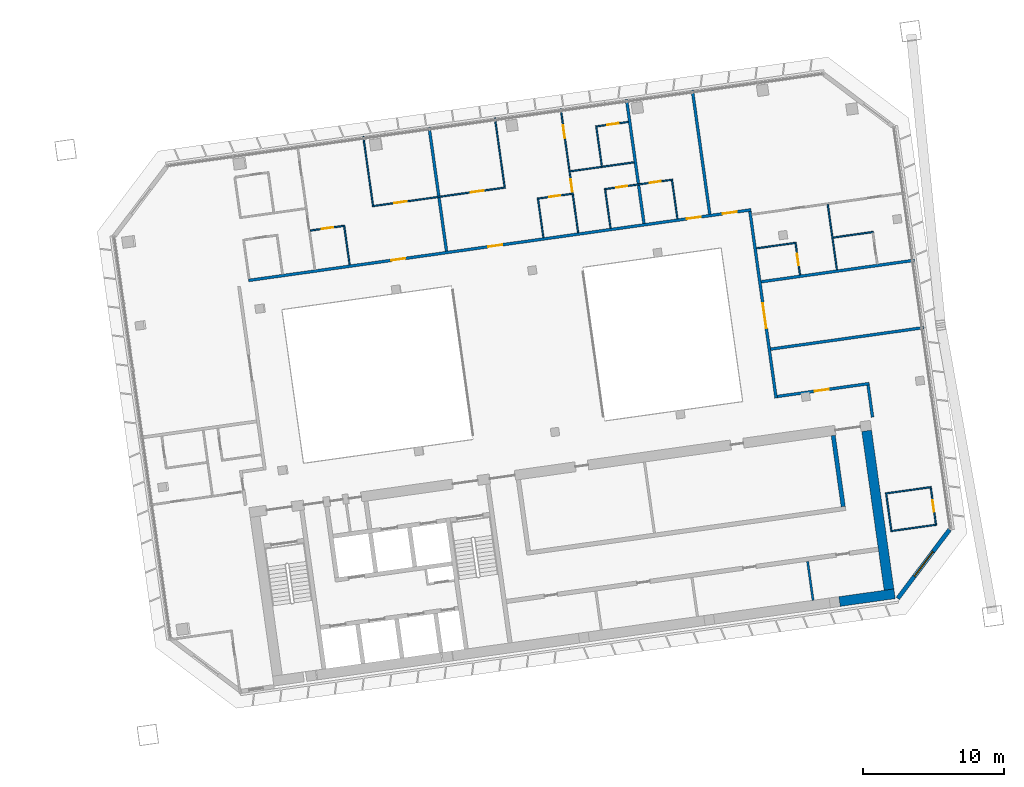
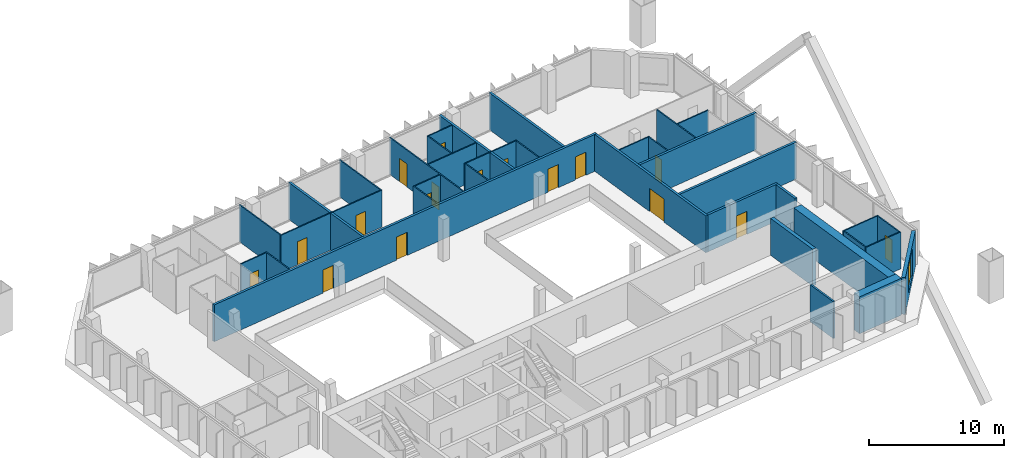
# One storey, part 19 of 23: 36 walls, 17 doors, 1 window, 18 openings.
"""IFC4 building model written with IfcOpenShell, lengths in metres."""

from ifc_helpers import new_model, si_unit, direction, frame, frame_2d, origin, place, context, subcontext, project, spatial, rectangle, extrude, material, layer, layer_set, type_object, element, fill, save


model = new_model("IFC4")

# Units and contexts
model_context = context("Model", 3, precision=1e-05, world=origin(), true_north=direction((0.0, 1.0)))
body_context = subcontext(model_context, "Body", "Model", "MODEL_VIEW")
ifc_project = project(units=[si_unit("LENGTHUNIT", "METRE"), si_unit("AREAUNIT", "SQUARE_METRE"), si_unit("VOLUMEUNIT", "CUBIC_METRE"), si_unit("PLANEANGLEUNIT", "RADIAN"), si_unit("MASSUNIT", "GRAM", prefix="KILO")], contexts=[model_context])

# Site, building, storey
site_placement = place(None, origin())
site = spatial("IfcSite", under=ifc_project, at=site_placement, CompositionType="ELEMENT")
building_placement = place(site_placement, origin())
building = spatial("IfcBuilding", under=site, at=building_placement, Name="Mirante Cascada Hotel Towers", CompositionType="ELEMENT")
storey_placement = place(building_placement, frame((0.0, 0.0, 195.4)))
storey = spatial("IfcBuildingStorey", under=building, at=storey_placement, Name="L46", CompositionType="ELEMENT", Elevation=195.4)

# Wall, opening, door
ifc_material_1 = material(Name="Fire-rated plasterboard on metal studs")
ifc_layer_1 = layer(ifc_material_1, 0.2)
ifc_layer_set_1 = layer_set([ifc_layer_1], Name="Compartment wall 200 EI 120")
wall_type_1 = type_object("IfcWallType", Name="Compartment wall 200 EI 120", PredefinedType="PARTITIONING", material=ifc_layer_set_1)
wall_1_placement = place(storey_placement, frame((79.5905, 1.5361, 0.0), z_axis=(0.0, 0.0, 1.0), x_axis=(-0.990267, -0.139181, 0.0)))
wall_1 = element("IfcWall", 1, at=wall_1_placement, inside=storey, type_object=wall_type_1, Name="Wall 2-L46-06", PredefinedType="PARTITIONING", context=body_context, shape_type="SweptSolid", body=[
    extrude(rectangle(XDim=6.6, YDim=0.2, at=frame_2d((3.3, 0.0))), origin(), (0.0, 0.0, 1.0), 3.35),
])
opening_1_placement = place(wall_1_placement, frame((2.9, 0.0, 0.0)))
opening_1 = element("IfcOpeningElement", 2, at=opening_1_placement, cuts=wall_1, Name="Opening D2-L46-03", PredefinedType="OPENING", context=body_context, shape_type="SweptSolid", body=[
    extrude(rectangle(XDim=1.0, YDim=2.1, at=frame_2d((0.5, 1.05))), frame((0.0, 0.1, 0.0), z_axis=(0.0, -1.0, 0.0), x_axis=(1.0, 0.0, 0.0)), (0.0, 0.0, 1.0), 0.2),
])
ifc_material_2 = material(Name="Fire-rated timber door leaf", Category="wood")
door_type_1 = type_object("IfcDoorType", Name="Entrance door DG1 1000x2100 EI 60", OperationType="SINGLE_SWING_LEFT", PredefinedType="DOOR", material=ifc_material_2)
door_1_placement = place(opening_1_placement, origin())
door_1 = element("IfcDoor", 3, at=door_1_placement, inside=storey, type_object=door_type_1, Name="Door D2-L46-03", OperationType="SINGLE_SWING_LEFT", OverallHeight=2.1, OverallWidth=1.0, PredefinedType="DOOR", context=body_context, shape_type="SweptSolid", body=[
    extrude(rectangle(XDim=1.0, YDim=2.1, at=frame_2d((0.5, 1.05))), frame((0.0, 0.025, 0.0), z_axis=(0.0, -1.0, 0.0), x_axis=(1.0, 0.0, 0.0)), (0.0, 0.0, 1.0), 0.05),
])
fill(opening_1, door_1)

# Walls
wall_2_placement = place(storey_placement, frame((83.4745, 5.5153, 0.0), z_axis=(0.0, 0.0, 1.0), x_axis=(-0.9902682, -0.1391721, 0.0)))
element("IfcWall", 4, at=wall_2_placement, inside=storey, type_object=wall_type_1, Name="Wall 2-L46-10", PredefinedType="PARTITIONING", context=body_context, shape_type="SweptSolid", body=[
    extrude(rectangle(XDim=11.0001, YDim=0.2, at=frame_2d((5.5, 0.0))), origin(), (0.0, 0.0, 1.0), 3.35),
])
wall_3_placement = place(storey_placement, frame((71.9089, 8.7707, 0.0), z_axis=(0.0, 0.0, 1.0), x_axis=(0.990268, 0.1391733, 0.0)))
element("IfcWall", 5, at=wall_3_placement, inside=storey, type_object=wall_type_1, Name="Wall 2-L46-11", PredefinedType="PARTITIONING", context=body_context, shape_type="SweptSolid", body=[
    extrude(rectangle(XDim=11.0, YDim=0.2, at=frame_2d((5.5, 0.0))), origin(), (0.0, 0.0, 1.0), 3.35),
])

# Wall, openings, doors
wall_4_placement = place(storey_placement, frame((35.4697, 8.867, 0.0), z_axis=(0.0, 0.0, 1.0), x_axis=(0.9902682, 0.1391722, 0.0)))
wall_4 = element("IfcWall", 6, at=wall_4_placement, inside=storey, type_object=wall_type_1, Name="Wall 2-L46-15", PredefinedType="PARTITIONING", context=body_context, shape_type="SweptSolid", body=[
    extrude(rectangle(XDim=36.0711, YDim=0.2, at=frame_2d((18.0356, 0.0))), origin(), (0.0, 0.0, 1.0), 3.35),
])
opening_2_placement = place(wall_4_placement, frame((10.2463, 0.0, 0.0)))
opening_2 = element("IfcOpeningElement", 7, at=opening_2_placement, cuts=wall_4, Name="Opening D2-L46-06", PredefinedType="OPENING", context=body_context, shape_type="SweptSolid", body=[
    extrude(rectangle(XDim=1.0, YDim=2.1, at=frame_2d((0.5, 1.05))), frame((0.0, 0.1, 0.0), z_axis=(0.0, -1.0, 0.0), x_axis=(1.0, 0.0, 0.0)), (0.0, 0.0, 1.0), 0.2),
])
opening_3_placement = place(wall_4_placement, frame((17.201, 0.0, 0.0)))
opening_3 = element("IfcOpeningElement", 8, at=opening_3_placement, cuts=wall_4, Name="Opening D2-L46-07", PredefinedType="OPENING", context=body_context, shape_type="SweptSolid", body=[
    extrude(rectangle(XDim=1.0, YDim=2.1, at=frame_2d((0.5, 1.05))), frame((0.0, 0.1, 0.0), z_axis=(0.0, -1.0, 0.0), x_axis=(1.0, 0.0, 0.0)), (0.0, 0.0, 1.0), 0.2),
])
opening_4_placement = place(wall_4_placement, frame((31.4597, 0.0, 0.0)))
opening_4 = element("IfcOpeningElement", 9, at=opening_4_placement, cuts=wall_4, Name="Opening D2-L46-08", PredefinedType="OPENING", context=body_context, shape_type="SweptSolid", body=[
    extrude(rectangle(XDim=1.0, YDim=2.1, at=frame_2d((0.5, 1.05))), frame((0.0, 0.1, 0.0), z_axis=(0.0, -1.0, 0.0), x_axis=(1.0, 0.0, 0.0)), (0.0, 0.0, 1.0), 0.2),
])
opening_5_placement = place(wall_4_placement, frame((34.0465, 0.0, 0.0)))
opening_5 = element("IfcOpeningElement", 10, at=opening_5_placement, cuts=wall_4, Name="Opening D2-L46-09", PredefinedType="OPENING", context=body_context, shape_type="SweptSolid", body=[
    extrude(rectangle(XDim=1.0, YDim=2.1, at=frame_2d((0.5, 1.05))), frame((0.0, 0.1, 0.0), z_axis=(0.0, -1.0, 0.0), x_axis=(1.0, 0.0, 0.0)), (0.0, 0.0, 1.0), 0.2),
])
door_2_placement = place(opening_2_placement, origin())
door_2 = element("IfcDoor", 11, at=door_2_placement, inside=storey, type_object=door_type_1, Name="Door D2-L46-06", OperationType="SINGLE_SWING_LEFT", OverallHeight=2.1, OverallWidth=1.0, PredefinedType="DOOR", context=body_context, shape_type="SweptSolid", body=[
    extrude(rectangle(XDim=1.0, YDim=2.1, at=frame_2d((0.5, 1.05))), frame((0.0, 0.025, 0.0), z_axis=(0.0, -1.0, 0.0), x_axis=(1.0, 0.0, 0.0)), (0.0, 0.0, 1.0), 0.05),
])
fill(opening_2, door_2)
door_3_placement = place(opening_3_placement, origin())
door_3 = element("IfcDoor", 12, at=door_3_placement, inside=storey, type_object=door_type_1, Name="Door D2-L46-07", OperationType="SINGLE_SWING_LEFT", OverallHeight=2.1, OverallWidth=1.0, PredefinedType="DOOR", context=body_context, shape_type="SweptSolid", body=[
    extrude(rectangle(XDim=1.0, YDim=2.1, at=frame_2d((0.5, 1.05))), frame((0.0, 0.025, 0.0), z_axis=(0.0, -1.0, 0.0), x_axis=(1.0, 0.0, 0.0)), (0.0, 0.0, 1.0), 0.05),
])
fill(opening_3, door_3)
door_4_placement = place(opening_4_placement, origin())
door_4 = element("IfcDoor", 13, at=door_4_placement, inside=storey, type_object=door_type_1, Name="Door D2-L46-08", OperationType="SINGLE_SWING_LEFT", OverallHeight=2.1, OverallWidth=1.0, PredefinedType="DOOR", context=body_context, shape_type="SweptSolid", body=[
    extrude(rectangle(XDim=1.0, YDim=2.1, at=frame_2d((0.5, 1.05))), frame((0.0, 0.025, 0.0), z_axis=(0.0, -1.0, 0.0), x_axis=(1.0, 0.0, 0.0)), (0.0, 0.0, 1.0), 0.05),
])
fill(opening_4, door_4)
door_5_placement = place(opening_5_placement, origin())
door_5 = element("IfcDoor", 14, at=door_5_placement, inside=storey, type_object=door_type_1, Name="Door D2-L46-09", OperationType="SINGLE_SWING_LEFT", OverallHeight=2.1, OverallWidth=1.0, PredefinedType="DOOR", context=body_context, shape_type="SweptSolid", body=[
    extrude(rectangle(XDim=1.0, YDim=2.1, at=frame_2d((0.5, 1.05))), frame((0.0, 0.025, 0.0), z_axis=(0.0, -1.0, 0.0), x_axis=(1.0, 0.0, 0.0)), (0.0, 0.0, 1.0), 0.05),
])
fill(opening_5, door_5)

# Walls
for number, where, z_axis, x_axis, name in (
    (15, (48.3025, 19.759, 0.0), (0.0, 0.0, 1.0), (0.1391684, -0.9902687, 0.0), "Wall 2-L46-38"),
    (16, (62.3382, 21.7316, 0.0), (0.0, 0.0, 1.0), (0.1391794, -0.9902672, 0.0), "Wall 2-L46-44"),
    (17, (67.0168, 22.3891, 0.0), (0.0, 0.0, 1.0), (0.1391794, -0.9902672, 0.0), "Wall 2-L46-46"),
):
    element("IfcWall", number, at=place(storey_placement, frame(where, z_axis=z_axis, x_axis=x_axis)), inside=storey, type_object=wall_type_1, Name=name, PredefinedType="PARTITIONING", context=body_context, shape_type="SweptSolid", body=[
        extrude(rectangle(XDim=8.9, YDim=0.2, at=frame_2d((4.45, 0.0))), origin(), (0.0, 0.0, 1.0), 3.35),
    ])

# Wall, opening, door
wall_5_placement = place(storey_placement, frame((72.9696, 0.5046, 0.0), z_axis=(0.0, 0.0, 1.0), x_axis=(-0.1391716, 0.9902683, 0.0)))
wall_5 = element("IfcWall", 18, at=wall_5_placement, inside=storey, type_object=wall_type_1, Name="Wall 2-L46-47", PredefinedType="PARTITIONING", context=body_context, shape_type="SweptSolid", body=[
    extrude(rectangle(XDim=13.4, YDim=0.2, at=frame_2d((6.7, 0.0))), origin(), (0.0, 0.0, 1.0), 3.35),
])
opening_6_placement = place(wall_5_placement, frame((5.0167, 0.0, 0.0)))
opening_6 = element("IfcOpeningElement", 19, at=opening_6_placement, cuts=wall_5, Name="Opening D2-L46-28", PredefinedType="OPENING", context=body_context, shape_type="SweptSolid", body=[
    extrude(rectangle(XDim=1.8, YDim=2.1, at=frame_2d((0.9, 1.05))), frame((0.0, 0.1, 0.0), z_axis=(0.0, -1.0, 0.0), x_axis=(1.0, 0.0, 0.0)), (0.0, 0.0, 1.0), 0.2),
])
ifc_material_3 = material(Name="Fire-rated timber door leaf", Category="wood")
door_type_2 = type_object("IfcDoorType", Name="Suite double door DG2 1800x2100 EI 60", OperationType="DOUBLE_DOOR_SINGLE_SWING", PredefinedType="DOOR", material=ifc_material_3)
door_6_placement = place(opening_6_placement, origin())
door_6 = element("IfcDoor", 20, at=door_6_placement, inside=storey, type_object=door_type_2, Name="Door D2-L46-28", OperationType="DOUBLE_DOOR_SINGLE_SWING", OverallHeight=2.1, OverallWidth=1.8, PredefinedType="DOOR", context=body_context, shape_type="SweptSolid", body=[
    extrude(rectangle(XDim=0.895, YDim=2.1, at=frame_2d((0.4475, 1.05))), frame((0.0, 0.025, 0.0), z_axis=(0.0, -1.0, 0.0), x_axis=(1.0, 0.0, 0.0)), (0.0, 0.0, 1.0), 0.05),
    extrude(rectangle(XDim=0.895, YDim=2.1, at=frame_2d((1.3525, 1.05))), frame((0.0, 0.025, 0.0), z_axis=(0.0, -1.0, 0.0), x_axis=(1.0, 0.0, 0.0)), (0.0, 0.0, 1.0), 0.05),
])
fill(opening_6, door_6)

# Walls
wall_6_placement = place(storey_placement, frame((79.5054, 1.4231, 0.0), z_axis=(0.0, 0.0, 1.0), x_axis=(0.1391749, -0.9902678, 0.0)))
element("IfcWall", 21, at=wall_6_placement, inside=storey, type_object=wall_type_1, Name="Wall 2-L46-50", PredefinedType="PARTITIONING", context=body_context, shape_type="SweptSolid", body=[
    extrude(rectangle(XDim=2.3, YDim=0.2, at=frame_2d((1.15, 0.0))), origin(), (0.0, 0.0, 1.0), 3.35),
])
ifc_material_4 = material(Name="Masonry block", Category="masonry")
ifc_layer_2 = layer(ifc_material_4, 0.15)
ifc_layer_set_2 = layer_set([ifc_layer_2], Name="Core room partition 150 block EI 30")
wall_type_2 = type_object("IfcWallType", Name="Core room partition 150 block EI 30", PredefinedType="PARTITIONING", material=ifc_layer_set_2)
wall_7_placement = place(storey_placement, frame((75.5957, -13.8698, 0.0), z_axis=(0.0, 0.0, 1.0), x_axis=(-0.139181, 0.990267, 0.0)))
element("IfcWall", 22, at=wall_7_placement, inside=storey, type_object=wall_type_2, Name="Core wall partition T2 L46 8", PredefinedType="PARTITIONING", context=body_context, shape_type="SweptSolid", body=[
    extrude(rectangle(XDim=2.8, YDim=0.15, at=frame_2d((1.4, 0.0))), origin(), (0.0, 0.0, 1.0), 3.35),
])
ifc_material_5 = material(Name="Plasterboard on metal studs")
ifc_layer_3 = layer(ifc_material_5, 0.1)
ifc_layer_set_3 = layer_set([ifc_layer_3], Name="Partition 100")
wall_type_3 = type_object("IfcWallType", Name="Partition 100", PredefinedType="PARTITIONING", material=ifc_layer_set_3)
for number, where, z_axis, x_axis, name in (
    (23, (84.3831, -8.4945, 0.0), (0.0, 0.0, 1.0), (-0.990267, -0.139181, 0.0), "Wall 2-L46-02"),
    (24, (80.7395, -6.2801, 0.0), (0.0, 0.0, 1.0), (0.990267, 0.139181, 0.0), "Wall 2-L46-03"),
):
    element("IfcWall", number, at=place(storey_placement, frame(where, z_axis=z_axis, x_axis=x_axis)), inside=storey, type_object=wall_type_3, Name=name, PredefinedType="PARTITIONING", context=body_context, shape_type="SweptSolid", body=[
        extrude(rectangle(XDim=3.3, YDim=0.1, at=frame_2d((1.65, 0.0))), origin(), (0.0, 0.0, 1.0), 3.35),
    ])
wall_8_placement = place(storey_placement, frame((74.3971, 11.544, 0.0), z_axis=(0.0, 0.0, 1.0), x_axis=(-0.9902656, -0.1391909, 0.0)))
element("IfcWall", 25, at=wall_8_placement, inside=storey, type_object=wall_type_3, Name="Wall 2-L46-12", PredefinedType="PARTITIONING", context=body_context, shape_type="SweptSolid", body=[
    extrude(rectangle(XDim=2.85, YDim=0.1, at=frame_2d((1.425, 0.0))), origin(), (0.0, 0.0, 1.0), 3.35),
])
wall_9_placement = place(storey_placement, frame((77.0213, 11.9128, 0.0), z_axis=(0.0, 0.0, 1.0), x_axis=(0.9902683, 0.1391714, 0.0)))
element("IfcWall", 26, at=wall_9_placement, inside=storey, type_object=wall_type_3, Name="Wall 2-L46-13", PredefinedType="PARTITIONING", context=body_context, shape_type="SweptSolid", body=[
    extrude(rectangle(XDim=2.9, YDim=0.1, at=frame_2d((1.45, 0.0))), origin(), (0.0, 0.0, 1.0), 3.35),
])

# Wall, opening, door
wall_10_placement = place(storey_placement, frame((39.8437, 12.4102, 0.0), z_axis=(0.0, 0.0, 1.0), x_axis=(0.9902652, 0.1391934, 0.0)))
wall_10 = element("IfcWall", 27, at=wall_10_placement, inside=storey, type_object=wall_type_3, Name="Wall 2-L46-17", PredefinedType="PARTITIONING", context=body_context, shape_type="SweptSolid", body=[
    extrude(rectangle(XDim=2.3945, YDim=0.1, at=frame_2d((1.1972, 0.0))), origin(), (0.0, 0.0, 1.0), 3.35),
])
opening_7_placement = place(wall_10_placement, frame((0.8445, 0.0, 0.0)))
opening_7 = element("IfcOpeningElement", 28, at=opening_7_placement, cuts=wall_10, Name="Opening D2-L46-11", PredefinedType="OPENING", context=body_context, shape_type="SweptSolid", body=[
    extrude(rectangle(XDim=0.8, YDim=2.1, at=frame_2d((0.4, 1.05))), frame((0.0, 0.05, 0.0), z_axis=(0.0, -1.0, 0.0), x_axis=(1.0, 0.0, 0.0)), (0.0, 0.0, 1.0), 0.1),
])
ifc_material_6 = material(Name="Timber door leaf", Category="wood")
door_type_3 = type_object("IfcDoorType", Name="Bathroom door DG4 800x2100", OperationType="SINGLE_SWING_LEFT", PredefinedType="DOOR", material=ifc_material_6)
door_7_placement = place(opening_7_placement, origin())
door_7 = element("IfcDoor", 29, at=door_7_placement, inside=storey, type_object=door_type_3, Name="Door D2-L46-11", OperationType="SINGLE_SWING_LEFT", OverallHeight=2.1, OverallWidth=0.8, PredefinedType="DOOR", context=body_context, shape_type="SweptSolid", body=[
    extrude(rectangle(XDim=0.8, YDim=2.1, at=frame_2d((0.4, 1.05))), frame((0.0, 0.025, 0.0), z_axis=(0.0, -1.0, 0.0), x_axis=(1.0, 0.0, 0.0)), (0.0, 0.0, 1.0), 0.05),
])
fill(opening_7, door_7)

wall_11_placement = place(storey_placement, frame((58.459, 15.0264, 0.0), z_axis=(0.0, 0.0, 1.0), x_axis=(-0.990271, -0.1391524, 0.0)))
wall_11 = element("IfcWall", 30, at=wall_11_placement, inside=storey, type_object=wall_type_3, Name="Wall 2-L46-18", PredefinedType="PARTITIONING", context=body_context, shape_type="SweptSolid", body=[
    extrude(rectangle(XDim=2.3945, YDim=0.1, at=frame_2d((1.1972, 0.0))), origin(), (0.0, 0.0, 1.0), 3.35),
])
opening_8_placement = place(wall_11_placement, frame((0.8445, 0.0, 0.0)))
opening_8 = element("IfcOpeningElement", 31, at=opening_8_placement, cuts=wall_11, Name="Opening D2-L46-12", PredefinedType="OPENING", context=body_context, shape_type="SweptSolid", body=[
    extrude(rectangle(XDim=0.8, YDim=2.1, at=frame_2d((0.4, 1.05))), frame((0.0, 0.05, 0.0), z_axis=(0.0, -1.0, 0.0), x_axis=(1.0, 0.0, 0.0)), (0.0, 0.0, 1.0), 0.1),
])
door_8_placement = place(opening_8_placement, frame((0.8, 0.0, 0.0), z_axis=(0.0, 0.0, 1.0), x_axis=(-1.0, 0.0, 0.0)))
door_8 = element("IfcDoor", 32, at=door_8_placement, inside=storey, type_object=door_type_3, Name="Door D2-L46-12", OperationType="SINGLE_SWING_RIGHT", OverallHeight=2.1, OverallWidth=0.8, PredefinedType="DOOR", context=body_context, shape_type="SweptSolid", body=[
    extrude(rectangle(XDim=0.8, YDim=2.1, at=frame_2d((0.4, 1.05))), frame((0.0, 0.025, 0.0), z_axis=(0.0, -1.0, 0.0), x_axis=(1.0, 0.0, 0.0)), (0.0, 0.0, 1.0), 0.05),
])
fill(opening_8, door_8)

# Wall, openings, doors
wall_12_placement = place(storey_placement, frame((60.761, 15.35, 0.0), z_axis=(0.0, 0.0, 1.0), x_axis=(0.9902694, 0.1391638, 0.0)))
wall_12 = element("IfcWall", 33, at=wall_12_placement, inside=storey, type_object=wall_type_3, Name="Wall 2-L46-19", PredefinedType="PARTITIONING", context=body_context, shape_type="SweptSolid", body=[
    extrude(rectangle(XDim=4.9, YDim=0.1, at=frame_2d((2.45, 0.0))), origin(), (0.0, 0.0, 1.0), 3.35),
])
opening_9_placement = place(wall_12_placement, frame((0.85, 0.0, 0.0)))
opening_9 = element("IfcOpeningElement", 34, at=opening_9_placement, cuts=wall_12, Name="Opening D2-L46-13", PredefinedType="OPENING", context=body_context, shape_type="SweptSolid", body=[
    extrude(rectangle(XDim=0.8, YDim=2.1, at=frame_2d((0.4, 1.05))), frame((0.0, 0.05, 0.0), z_axis=(0.0, -1.0, 0.0), x_axis=(1.0, 0.0, 0.0)), (0.0, 0.0, 1.0), 0.1),
])
opening_10_placement = place(wall_12_placement, frame((3.25, 0.0, 0.0)))
opening_10 = element("IfcOpeningElement", 35, at=opening_10_placement, cuts=wall_12, Name="Opening D2-L46-14", PredefinedType="OPENING", context=body_context, shape_type="SweptSolid", body=[
    extrude(rectangle(XDim=0.8, YDim=2.1, at=frame_2d((0.4, 1.05))), frame((0.0, 0.05, 0.0), z_axis=(0.0, -1.0, 0.0), x_axis=(1.0, 0.0, 0.0)), (0.0, 0.0, 1.0), 0.1),
])
door_9_placement = place(opening_9_placement, frame((0.8, 0.0, 0.0), z_axis=(0.0, 0.0, 1.0), x_axis=(-1.0, 0.0, 0.0)))
door_9 = element("IfcDoor", 36, at=door_9_placement, inside=storey, type_object=door_type_3, Name="Door D2-L46-13", OperationType="SINGLE_SWING_RIGHT", OverallHeight=2.1, OverallWidth=0.8, PredefinedType="DOOR", context=body_context, shape_type="SweptSolid", body=[
    extrude(rectangle(XDim=0.8, YDim=2.1, at=frame_2d((0.4, 1.05))), frame((0.0, 0.025, 0.0), z_axis=(0.0, -1.0, 0.0), x_axis=(1.0, 0.0, 0.0)), (0.0, 0.0, 1.0), 0.05),
])
fill(opening_9, door_9)
door_10_placement = place(opening_10_placement, origin())
door_10 = element("IfcDoor", 37, at=door_10_placement, inside=storey, type_object=door_type_3, Name="Door D2-L46-14", OperationType="SINGLE_SWING_LEFT", OverallHeight=2.1, OverallWidth=0.8, PredefinedType="DOOR", context=body_context, shape_type="SweptSolid", body=[
    extrude(rectangle(XDim=0.8, YDim=2.1, at=frame_2d((0.4, 1.05))), frame((0.0, 0.025, 0.0), z_axis=(0.0, -1.0, 0.0), x_axis=(1.0, 0.0, 0.0)), (0.0, 0.0, 1.0), 0.05),
])
fill(opening_10, door_10)

wall_13_placement = place(storey_placement, frame((53.7264, 15.4721, 0.0), z_axis=(0.0, 0.0, 1.0), x_axis=(-0.9902678, -0.1391749, 0.0)))
wall_13 = element("IfcWall", 38, at=wall_13_placement, inside=storey, type_object=wall_type_3, Name="Wall 2-L46-20", PredefinedType="PARTITIONING", context=body_context, shape_type="SweptSolid", body=[
    extrude(rectangle(XDim=9.5491, YDim=0.1, at=frame_2d((4.7745, 0.0))), origin(), (0.0, 0.0, 1.0), 3.35),
])
opening_11_placement = place(wall_13_placement, frame((7.0745, 0.0, 0.0)))
opening_11 = element("IfcOpeningElement", 39, at=opening_11_placement, cuts=wall_13, Name="Opening D2-L46-15", PredefinedType="OPENING", context=body_context, shape_type="SweptSolid", body=[
    extrude(rectangle(XDim=0.9, YDim=2.1, at=frame_2d((0.45, 1.05))), frame((0.0, 0.05, 0.0), z_axis=(0.0, -1.0, 0.0), x_axis=(1.0, 0.0, 0.0)), (0.0, 0.0, 1.0), 0.1),
])
opening_12_placement = place(wall_13_placement, frame((1.5745, 0.0, 0.0)))
opening_12 = element("IfcOpeningElement", 40, at=opening_12_placement, cuts=wall_13, Name="Opening D2-L46-16", PredefinedType="OPENING", context=body_context, shape_type="SweptSolid", body=[
    extrude(rectangle(XDim=0.9, YDim=2.1, at=frame_2d((0.45, 1.05))), frame((0.0, 0.05, 0.0), z_axis=(0.0, -1.0, 0.0), x_axis=(1.0, 0.0, 0.0)), (0.0, 0.0, 1.0), 0.1),
])
ifc_material_7 = material(Name="Timber door leaf", Category="wood")
door_type_4 = type_object("IfcDoorType", Name="Room door DG3 900x2100", OperationType="SINGLE_SWING_LEFT", PredefinedType="DOOR", material=ifc_material_7)
door_11_placement = place(opening_11_placement, frame((0.9, 0.0, 0.0), z_axis=(0.0, 0.0, 1.0), x_axis=(-1.0, 0.0, 0.0)))
door_11 = element("IfcDoor", 41, at=door_11_placement, inside=storey, type_object=door_type_4, Name="Door D2-L46-15", OperationType="SINGLE_SWING_RIGHT", OverallHeight=2.1, OverallWidth=0.9, PredefinedType="DOOR", context=body_context, shape_type="SweptSolid", body=[
    extrude(rectangle(XDim=0.9, YDim=2.1, at=frame_2d((0.45, 1.05))), frame((0.0, 0.025, 0.0), z_axis=(0.0, -1.0, 0.0), x_axis=(1.0, 0.0, 0.0)), (0.0, 0.0, 1.0), 0.05),
])
fill(opening_11, door_11)
door_12_placement = place(opening_12_placement, frame((0.9, 0.0, 0.0), z_axis=(0.0, 0.0, 1.0), x_axis=(-1.0, 0.0, 0.0)))
door_12 = element("IfcDoor", 42, at=door_12_placement, inside=storey, type_object=door_type_4, Name="Door D2-L46-16", OperationType="SINGLE_SWING_RIGHT", OverallHeight=2.1, OverallWidth=0.9, PredefinedType="DOOR", context=body_context, shape_type="SweptSolid", body=[
    extrude(rectangle(XDim=0.9, YDim=2.1, at=frame_2d((0.45, 1.05))), frame((0.0, 0.025, 0.0), z_axis=(0.0, -1.0, 0.0), x_axis=(1.0, 0.0, 0.0)), (0.0, 0.0, 1.0), 0.05),
])
fill(opening_12, door_12)

# Wall
wall_14_placement = place(storey_placement, frame((62.8655, 17.2614, 0.0), z_axis=(0.0, 0.0, 1.0), x_axis=(-0.99027, -0.1391594, 0.0)))
element("IfcWall", 43, at=wall_14_placement, inside=storey, type_object=wall_type_3, Name="Wall 2-L46-22", PredefinedType="PARTITIONING", context=body_context, shape_type="SweptSolid", body=[
    extrude(rectangle(XDim=4.5746, YDim=0.1, at=frame_2d((2.2873, 0.0))), origin(), (0.0, 0.0, 1.0), 3.35),
])

# Wall, opening, door
wall_15_placement = place(storey_placement, frame((62.4619, 20.1332, 0.0), z_axis=(0.0, 0.0, 1.0), x_axis=(-0.9902705, -0.1391561, 0.0)))
wall_15 = element("IfcWall", 44, at=wall_15_placement, inside=storey, type_object=wall_type_3, Name="Wall 2-L46-24", PredefinedType="PARTITIONING", context=body_context, shape_type="SweptSolid", body=[
    extrude(rectangle(XDim=2.25, YDim=0.1, at=frame_2d((1.125, 0.0))), origin(), (0.0, 0.0, 1.0), 3.35),
])
opening_13_placement = place(wall_15_placement, frame((0.7, 0.0, 0.0)))
opening_13 = element("IfcOpeningElement", 45, at=opening_13_placement, cuts=wall_15, Name="Opening D2-L46-18", PredefinedType="OPENING", context=body_context, shape_type="SweptSolid", body=[
    extrude(rectangle(XDim=0.8, YDim=2.1, at=frame_2d((0.4, 1.05))), frame((0.0, 0.05, 0.0), z_axis=(0.0, -1.0, 0.0), x_axis=(1.0, 0.0, 0.0)), (0.0, 0.0, 1.0), 0.1),
])
door_13_placement = place(opening_13_placement, origin())
door_13 = element("IfcDoor", 46, at=door_13_placement, inside=storey, type_object=door_type_3, Name="Door D2-L46-18", OperationType="SINGLE_SWING_LEFT", OverallHeight=2.1, OverallWidth=0.8, PredefinedType="DOOR", context=body_context, shape_type="SweptSolid", body=[
    extrude(rectangle(XDim=0.8, YDim=2.1, at=frame_2d((0.4, 1.05))), frame((0.0, 0.025, 0.0), z_axis=(0.0, -1.0, 0.0), x_axis=(1.0, 0.0, 0.0)), (0.0, 0.0, 1.0), 0.05),
])
fill(opening_13, door_13)

# Walls
wall_16_placement = place(storey_placement, frame((42.2574, 12.7999, 0.0), z_axis=(0.0, 0.0, 1.0), x_axis=(0.1391957, -0.9902649, 0.0)))
element("IfcWall", 47, at=wall_16_placement, inside=storey, type_object=wall_type_3, Name="Wall 2-L46-36", PredefinedType="PARTITIONING", context=body_context, shape_type="SweptSolid", body=[
    extrude(rectangle(XDim=2.8499, YDim=0.1, at=frame_2d((1.425, 0.0))), origin(), (0.0, 0.0, 1.0), 3.35),
])
for number, where, z_axis, x_axis, name in (
    (48, (44.3127, 14.1996, 0.0), (0.0, 0.0, 1.0), (-0.1391725, 0.9902682, 0.0), "Wall 2-L46-37"),
    (49, (53.6699, 15.5147, 0.0), (0.0, 0.0, 1.0), (-0.1391725, 0.9902682, 0.0), "Wall 2-L46-39"),
):
    element("IfcWall", number, at=place(storey_placement, frame(where, z_axis=z_axis, x_axis=x_axis)), inside=storey, type_object=wall_type_3, Name=name, PredefinedType="PARTITIONING", context=body_context, shape_type="SweptSolid", body=[
        extrude(rectangle(XDim=4.95, YDim=0.1, at=frame_2d((2.475, 0.0))), origin(), (0.0, 0.0, 1.0), 3.35),
    ])
wall_17_placement = place(storey_placement, frame((56.0314, 14.7357, 0.0), z_axis=(0.0, 0.0, 1.0), x_axis=(0.1391613, -0.9902697, 0.0)))
element("IfcWall", 50, at=wall_17_placement, inside=storey, type_object=wall_type_3, Name="Wall 2-L46-40", PredefinedType="PARTITIONING", context=body_context, shape_type="SweptSolid", body=[
    extrude(rectangle(XDim=2.8499, YDim=0.1, at=frame_2d((1.425, 0.0))), origin(), (0.0, 0.0, 1.0), 3.35),
])

# Wall, openings, doors
wall_18_placement = place(storey_placement, frame((58.8982, 12.2606, 0.0), z_axis=(0.0, 0.0, 1.0), x_axis=(-0.1391684, 0.9902687, 0.0)))
wall_18 = element("IfcWall", 51, at=wall_18_placement, inside=storey, type_object=wall_type_3, Name="Wall 2-L46-41", PredefinedType="PARTITIONING", context=body_context, shape_type="SweptSolid", body=[
    extrude(rectangle(XDim=8.9, YDim=0.1, at=frame_2d((4.45, 0.0))), origin(), (0.0, 0.0, 1.0), 3.35),
])
opening_14_placement = place(wall_18_placement, frame((2.95, 0.0, 0.0)))
opening_14 = element("IfcOpeningElement", 52, at=opening_14_placement, cuts=wall_18, Name="Opening D2-L46-26", PredefinedType="OPENING", context=body_context, shape_type="SweptSolid", body=[
    extrude(rectangle(XDim=0.9, YDim=2.1, at=frame_2d((0.45, 1.05))), frame((0.0, 0.05, 0.0), z_axis=(0.0, -1.0, 0.0), x_axis=(1.0, 0.0, 0.0)), (0.0, 0.0, 1.0), 0.1),
])
opening_15_placement = place(wall_18_placement, frame((6.8, 0.0, 0.0)))
opening_15 = element("IfcOpeningElement", 53, at=opening_15_placement, cuts=wall_18, Name="Opening D2-L46-27", PredefinedType="OPENING", context=body_context, shape_type="SweptSolid", body=[
    extrude(rectangle(XDim=0.9, YDim=2.1, at=frame_2d((0.45, 1.05))), frame((0.0, 0.05, 0.0), z_axis=(0.0, -1.0, 0.0), x_axis=(1.0, 0.0, 0.0)), (0.0, 0.0, 1.0), 0.1),
])
door_14_placement = place(opening_14_placement, origin())
door_14 = element("IfcDoor", 54, at=door_14_placement, inside=storey, type_object=door_type_4, Name="Door D2-L46-26", OperationType="SINGLE_SWING_LEFT", OverallHeight=2.1, OverallWidth=0.9, PredefinedType="DOOR", context=body_context, shape_type="SweptSolid", body=[
    extrude(rectangle(XDim=0.9, YDim=2.1, at=frame_2d((0.45, 1.05))), frame((0.0, 0.025, 0.0), z_axis=(0.0, -1.0, 0.0), x_axis=(1.0, 0.0, 0.0)), (0.0, 0.0, 1.0), 0.05),
])
fill(opening_14, door_14)
door_15_placement = place(opening_15_placement, origin())
door_15 = element("IfcDoor", 55, at=door_15_placement, inside=storey, type_object=door_type_4, Name="Door D2-L46-27", OperationType="SINGLE_SWING_LEFT", OverallHeight=2.1, OverallWidth=0.9, PredefinedType="DOOR", context=body_context, shape_type="SweptSolid", body=[
    extrude(rectangle(XDim=0.9, YDim=2.1, at=frame_2d((0.45, 1.05))), frame((0.0, 0.025, 0.0), z_axis=(0.0, -1.0, 0.0), x_axis=(1.0, 0.0, 0.0)), (0.0, 0.0, 1.0), 0.05),
])
fill(opening_15, door_15)

# Walls
wall_19_placement = place(storey_placement, frame((60.8175, 15.3074, 0.0), z_axis=(0.0, 0.0, 1.0), x_axis=(0.1391657, -0.9902691, 0.0)))
element("IfcWall", 56, at=wall_19_placement, inside=storey, type_object=wall_type_3, Name="Wall 2-L46-42", PredefinedType="PARTITIONING", context=body_context, shape_type="SweptSolid", body=[
    extrude(rectangle(XDim=2.75, YDim=0.1, at=frame_2d((1.375, 0.0))), origin(), (0.0, 0.0, 1.0), 3.35),
])
wall_20_placement = place(storey_placement, frame((60.5809, 16.9909, 0.0), z_axis=(0.0, 0.0, 1.0), x_axis=(-0.1391761, 0.9902676, 0.0)))
element("IfcWall", 57, at=wall_20_placement, inside=storey, type_object=wall_type_3, Name="Wall 2-L46-43", PredefinedType="PARTITIONING", context=body_context, shape_type="SweptSolid", body=[
    extrude(rectangle(XDim=2.8999, YDim=0.1, at=frame_2d((1.45, 0.0))), origin(), (0.0, 0.0, 1.0), 3.35),
])
wall_21_placement = place(storey_placement, frame((65.9535, 13.2522, 0.0), z_axis=(0.0, 0.0, 1.0), x_axis=(-0.1391657, 0.9902691, 0.0)))
element("IfcWall", 58, at=wall_21_placement, inside=storey, type_object=wall_type_3, Name="Wall 2-L46-45", PredefinedType="PARTITIONING", context=body_context, shape_type="SweptSolid", body=[
    extrude(rectangle(XDim=2.75, YDim=0.1, at=frame_2d((1.375, 0.0))), origin(), (0.0, 0.0, 1.0), 3.35),
])

# Wall, opening, door
wall_22_placement = place(storey_placement, frame((74.3546, 11.4875, 0.0), z_axis=(0.0, 0.0, 1.0), x_axis=(0.1391561, -0.9902705, 0.0)))
wall_22 = element("IfcWall", 59, at=wall_22_placement, inside=storey, type_object=wall_type_3, Name="Wall 2-L46-48", PredefinedType="PARTITIONING", context=body_context, shape_type="SweptSolid", body=[
    extrude(rectangle(XDim=2.25, YDim=0.1, at=frame_2d((1.125, 0.0))), origin(), (0.0, 0.0, 1.0), 3.35),
])
opening_16_placement = place(wall_22_placement, frame((0.75, 0.0, 0.0)))
opening_16 = element("IfcOpeningElement", 60, at=opening_16_placement, cuts=wall_22, Name="Opening D2-L46-29", PredefinedType="OPENING", context=body_context, shape_type="SweptSolid", body=[
    extrude(rectangle(XDim=0.8, YDim=2.1, at=frame_2d((0.4, 1.05))), frame((0.0, 0.05, 0.0), z_axis=(0.0, -1.0, 0.0), x_axis=(1.0, 0.0, 0.0)), (0.0, 0.0, 1.0), 0.1),
])
door_16_placement = place(opening_16_placement, frame((0.8, 0.0, 0.0), z_axis=(0.0, 0.0, 1.0), x_axis=(-1.0, 0.0, 0.0)))
door_16 = element("IfcDoor", 61, at=door_16_placement, inside=storey, type_object=door_type_3, Name="Door D2-L46-29", OperationType="SINGLE_SWING_RIGHT", OverallHeight=2.1, OverallWidth=0.8, PredefinedType="DOOR", context=body_context, shape_type="SweptSolid", body=[
    extrude(rectangle(XDim=0.8, YDim=2.1, at=frame_2d((0.4, 1.05))), frame((0.0, 0.025, 0.0), z_axis=(0.0, -1.0, 0.0), x_axis=(1.0, 0.0, 0.0)), (0.0, 0.0, 1.0), 0.05),
])
fill(opening_16, door_16)

# Walls
wall_23_placement = place(storey_placement, frame((77.2919, 9.6282, 0.0), z_axis=(0.0, 0.0, 1.0), x_axis=(-0.139173, 0.9902681, 0.0)))
element("IfcWall", 62, at=wall_23_placement, inside=storey, type_object=wall_type_3, Name="Wall 2-L46-49", PredefinedType="PARTITIONING", context=body_context, shape_type="SweptSolid", body=[
    extrude(rectangle(XDim=4.6834, YDim=0.1, at=frame_2d((2.3417, 0.0))), origin(), (0.0, 0.0, 1.0), 3.35),
])
wall_24_placement = place(storey_placement, frame((81.1578, -8.8973, 0.0), z_axis=(0.0, 0.0, 1.0), x_axis=(-0.1391918, 0.9902654, 0.0)))
element("IfcWall", 63, at=wall_24_placement, inside=storey, type_object=wall_type_3, Name="Wall 2-L46-51", PredefinedType="PARTITIONING", context=body_context, shape_type="SweptSolid", body=[
    extrude(rectangle(XDim=2.6, YDim=0.1, at=frame_2d((1.3, 0.0))), origin(), (0.0, 0.0, 1.0), 3.35),
])

# Wall, opening, door
wall_25_placement = place(storey_placement, frame((84.3266, -8.452, 0.0), z_axis=(0.0, 0.0, 1.0), x_axis=(-0.1391541, 0.9902707, 0.0)))
wall_25 = element("IfcWall", 64, at=wall_25_placement, inside=storey, type_object=wall_type_3, Name="Wall 2-L46-53", PredefinedType="PARTITIONING", context=body_context, shape_type="SweptSolid", body=[
    extrude(rectangle(XDim=2.6, YDim=0.1, at=frame_2d((1.3, 0.0))), origin(), (0.0, 0.0, 1.0), 3.35),
])
opening_17_placement = place(wall_25_placement, frame((0.9, 0.0, 0.0)))
opening_17 = element("IfcOpeningElement", 65, at=opening_17_placement, cuts=wall_25, Name="Opening D2-L46-31", PredefinedType="OPENING", context=body_context, shape_type="SweptSolid", body=[
    extrude(rectangle(XDim=0.8, YDim=2.1, at=frame_2d((0.4, 1.05))), frame((0.0, 0.05, 0.0), z_axis=(0.0, -1.0, 0.0), x_axis=(1.0, 0.0, 0.0)), (0.0, 0.0, 1.0), 0.1),
])
door_17_placement = place(opening_17_placement, origin())
door_17 = element("IfcDoor", 66, at=door_17_placement, inside=storey, type_object=door_type_3, Name="Door D2-L46-31", OperationType="SINGLE_SWING_LEFT", OverallHeight=2.1, OverallWidth=0.8, PredefinedType="DOOR", context=body_context, shape_type="SweptSolid", body=[
    extrude(rectangle(XDim=0.8, YDim=2.1, at=frame_2d((0.4, 1.05))), frame((0.0, 0.025, 0.0), z_axis=(0.0, -1.0, 0.0), x_axis=(1.0, 0.0, 0.0)), (0.0, 0.0, 1.0), 0.05),
])
fill(opening_17, door_17)

# Wall, opening, window
ifc_material_8 = material(Name="Precast concrete C40/50", Category="concrete")
ifc_layer_4 = layer(ifc_material_8, 0.3)
ifc_layer_set_4 = layer_set([ifc_layer_4], Name="Precast concrete C40/50 cladding wall 300")
wall_type_4 = type_object("IfcWallType", Name="Precast concrete C40/50 cladding wall 300", PredefinedType="STANDARD", material=ifc_layer_set_4)
wall_26_placement = place(storey_placement, frame((81.6175, -13.7366, 0.0), z_axis=(0.0, 0.0, 1.0), x_axis=(0.6018141, 0.7986362, 0.0)))
wall_26 = element("IfcWall", 67, at=wall_26_placement, inside=storey, type_object=wall_type_4, Name="Corner cladding wall T2 L46 rear outer", PredefinedType="STANDARD", context=body_context, shape_type="SweptSolid", body=[
    extrude(rectangle(XDim=6.1157, YDim=0.3, at=frame_2d((3.0578, 0.0))), origin(), (0.0, 0.0, 1.0), 3.35),
])
opening_18_placement = place(wall_26_placement, frame((1.9578, 0.0, 0.6)))
opening_18 = element("IfcOpeningElement", 68, at=opening_18_placement, cuts=wall_26, Name="Opening W2-46-01", PredefinedType="OPENING", context=body_context, shape_type="SweptSolid", body=[
    extrude(rectangle(XDim=2.2, YDim=2.4, at=frame_2d((1.1, 1.2))), frame((0.0, 0.15, 0.0), z_axis=(0.0, -1.0, 0.0), x_axis=(1.0, 0.0, 0.0)), (0.0, 0.0, 1.0), 0.3),
])
ifc_material_9 = material(Name="Aluminium frame with clear double glazing", Category="aluminium")
window_type = type_object("IfcWindowType", Name="Corner suite window 2200x2400", PartitioningType="DOUBLE_PANEL_VERTICAL", PredefinedType="WINDOW", material=ifc_material_9)
window_placement = place(opening_18_placement, origin())
window = element("IfcWindow", 69, at=window_placement, inside=storey, type_object=window_type, Name="Window W2-46-01", OverallHeight=2.4, OverallWidth=2.2, PartitioningType="SINGLE_PANEL", PredefinedType="WINDOW", context=body_context, shape_type="SweptSolid", body=[
    extrude(rectangle(XDim=2.2, YDim=2.4, at=frame_2d((1.1, 1.2))), frame((0.0, 0.03, 0.0), z_axis=(0.0, -1.0, 0.0), x_axis=(1.0, 0.0, 0.0)), (0.0, 0.0, 1.0), 0.06),
])
fill(opening_18, window)

# Walls
ifc_material_10 = material(Name="Concrete C50/60", Category="concrete")
ifc_layer_5 = layer(ifc_material_10, 0.3)
ifc_layer_set_5 = layer_set([ifc_layer_5], Name="RC core wall 300 C50/60")
wall_type_5 = type_object("IfcWallType", Name="RC core wall 300 C50/60", PredefinedType="SHEAR", material=ifc_layer_set_5)
wall_27_placement = place(storey_placement, frame((77.7392, -7.2067, 0.0), z_axis=(0.0, 0.0, 1.0), x_axis=(-0.1391755, 0.9902677, 0.0)))
element("IfcWall", 70, at=wall_27_placement, inside=storey, type_object=wall_type_5, Name="Core wall T2:L46:29", PredefinedType="SHEAR", context=body_context, shape_type="SweptSolid", body=[
    extrude(rectangle(XDim=5.1, YDim=0.3, at=frame_2d((2.55, 0.0))), origin(), (0.0, 0.0, 1.0), 3.35),
])
ifc_material_11 = material(Name="Concrete C50/60", Category="concrete")
ifc_layer_6 = layer(ifc_material_11, 0.7)
ifc_layer_set_6 = layer_set([ifc_layer_6], Name="RC core wall 700 C50/60")
wall_type_6 = type_object("IfcWallType", Name="RC core wall 700 C50/60", PredefinedType="SHEAR", material=ifc_layer_set_6)
wall_28_placement = place(storey_placement, frame((77.4764, -13.9589, 0.0), z_axis=(0.0, 0.0, 1.0), x_axis=(0.9902694, 0.1391633, 0.0)))
element("IfcWall", 71, at=wall_28_placement, inside=storey, type_object=wall_type_6, Name="Core wall T2:L46:1.6", PredefinedType="SHEAR", context=body_context, shape_type="SweptSolid", body=[
    extrude(rectangle(XDim=3.95, YDim=0.7, at=frame_2d((1.975, 0.0))), origin(), (0.0, 0.0, 1.0), 3.35),
])
wall_29_placement = place(storey_placement, frame((80.9927, -13.1113, 0.0), z_axis=(0.0, 0.0, 1.0), x_axis=(-0.1391761, 0.9902677, 0.0)))
element("IfcWall", 72, at=wall_29_placement, inside=storey, type_object=wall_type_6, Name="Core wall T2:L46:4", PredefinedType="SHEAR", context=body_context, shape_type="SweptSolid", body=[
    extrude(rectangle(XDim=11.3999, YDim=0.7, at=frame_2d((5.7, 0.0))), origin(), (0.0, 0.0, 1.0), 3.35),
])

save(model, "model.ifc")
